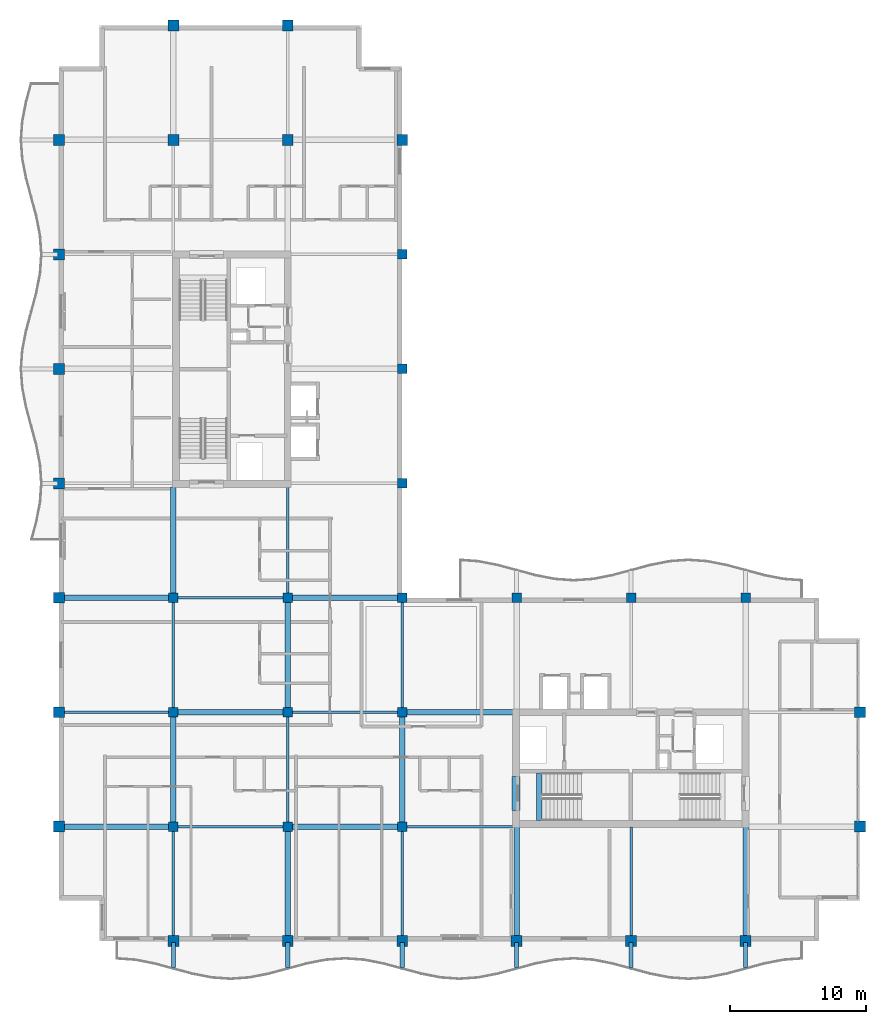
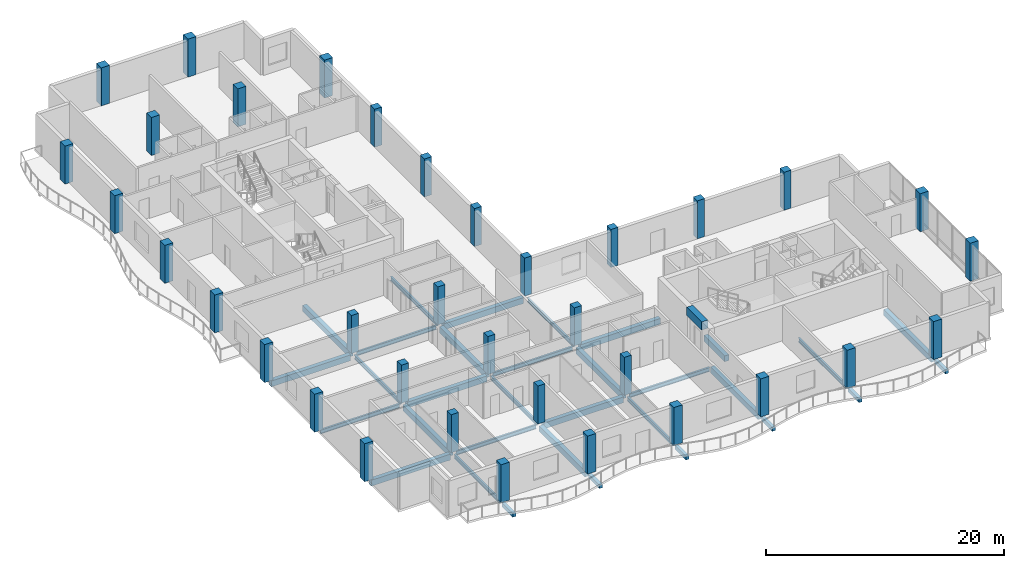
# One storey, part 1 of 15: 35 columns, 33 beams.
"""IFC4 building model written with IfcOpenShell, lengths in metres."""

from ifc_helpers import new_model, si_unit, direction, frame, origin, origin_2d, place, context, subcontext, project, spatial, rectangle, i_section, extrude, material, material_profile, profile_set, type_object, element, save


model = new_model("IFC4")

# Units and contexts
model_context = context("Model", 3, precision=1e-05, world=origin(), true_north=direction((0.0, 1.0)))
body_context = subcontext(model_context, "Body", "Model", "MODEL_VIEW")
ifc_project = project(units=[si_unit("LENGTHUNIT", "METRE"), si_unit("AREAUNIT", "SQUARE_METRE"), si_unit("VOLUMEUNIT", "CUBIC_METRE"), si_unit("PLANEANGLEUNIT", "RADIAN"), si_unit("MASSUNIT", "GRAM", prefix="KILO")], contexts=[model_context])

# Site, building, storey
site_placement = place(None, origin())
site = spatial("IfcSite", under=ifc_project, at=site_placement, CompositionType="ELEMENT")
building_placement = place(site_placement, origin())
building = spatial("IfcBuilding", under=site, at=building_placement, Name="Koriwani Terraces Tower", CompositionType="ELEMENT")
storey_placement = place(building_placement, frame((0.0, 0.0, 324.199951171875)))
storey = spatial("IfcBuildingStorey", under=building, at=storey_placement, Name="L80", CompositionType="ELEMENT", Elevation=324.199951171875)

# Columns
ifc_material_1 = material(Name="Concrete C50/60", Category="concrete")
ifc_material_profile_1 = material_profile(ifc_material_1, rectangle(XDim=0.699951171875, YDim=0.699951171875, at=origin_2d()), Name="Concrete C50/60", Category="LoadBearing")
ifc_profile_set_1 = profile_set([ifc_material_profile_1], Name="Concrete C50/60")
column_type_1 = type_object("IfcColumnType", Name="COL_RC_700X700", PredefinedType="COLUMN", material=ifc_profile_set_1)
for number, where, z_axis, x_axis, name in (
    (1, (16.800048828125, 16.800048828125, 0.0), (0.0, 0.0, 1.0), (1.0, 0.0, 0.0), "L80 Column 3/C"),
    (2, (16.800048828125, 25.199951171875, 0.0), (0.0, 0.0, 1.0), (1.0, 0.0, 0.0), "L80 Column 3/D"),
    (3, (16.800048828125, 33.60009765625, 0.0), (0.0, 0.0, 1.0), (1.0, 0.0, 0.0), "L80 Column 3/E"),
    (4, (25.199951171875, 16.800048828125, 0.0), (0.0, 0.0, 1.0), (1.0, 0.0, 0.0), "L80 Column 4/C"),
    (5, (25.199951171875, 25.199951171875, 0.0), (0.0, 0.0, 1.0), (1.0, 0.0, 0.0), "L80 Column 4/D"),
    (6, (25.199951171875, 33.60009765625, 0.0), (0.0, 0.0, 1.0), (1.0, 0.0, 0.0), "L80 Column 4/E"),
    (7, (33.60009765625, 16.800048828125, 0.0), (0.0, 0.0, 1.0), (1.0, 0.0, 0.0), "L80 Column 5/C"),
    (8, (33.60009765625, 25.199951171875, 0.0), (0.0, 0.0, 1.0), (1.0, 0.0, 0.0), "L80 Column 5/D"),
    (9, (33.60009765625, 33.60009765625, 0.0), (0.0, 0.0, 1.0), (1.0, 0.0, 0.0), "L80 Column 5/E"),
    (10, (33.60009765625, 42.0, 0.0), (0.0, 0.0, 1.0), (1.0, 0.0, 0.0), "L80 Column 5/F"),
    (11, (33.60009765625, 50.39990234375, 0.0), (0.0, 0.0, 1.0), (1.0, 0.0, 0.0), "L80 Column 5/G"),
    (12, (33.60009765625, 58.800048828125, 0.0), (0.0, 0.0, 1.0), (1.0, 0.0, 0.0), "L80 Column 5/H"),
    (13, (42.0, 33.60009765625, 0.0), (0.0, 0.0, 1.0), (1.0, 0.0, 0.0), "L80 Column 6/E"),
    (14, (50.39990234375, 33.60009765625, 0.0), (0.0, 0.0, 1.0), (1.0, 0.0, 0.0), "L80 Column 7/E"),
    (15, (58.800048828125, 33.60009765625, 0.0), (0.0, 0.0, 1.0), (1.0, 0.0, 0.0), "L80 Column 8/E"),
):
    element("IfcColumn", number, at=place(storey_placement, frame(where, z_axis=z_axis, x_axis=x_axis)), inside=storey, type_object=column_type_1, Name=name, PredefinedType="COLUMN", context=body_context, shape_type="SweptSolid", body=[
        extrude(rectangle(XDim=0.699951171875, YDim=0.699951171875, at=origin_2d()), origin(), (0.0, 0.0, 1.0), 3.900146484375),
    ])
ifc_material_profile_2 = material_profile(ifc_material_1, rectangle(XDim=0.800048828125, YDim=0.800048828125, at=origin_2d()), Name="Concrete C50/60", Category="LoadBearing")
ifc_profile_set_2 = profile_set([ifc_material_profile_2], Name="Concrete C50/60")
column_type_2 = type_object("IfcColumnType", Name="COL_RC_800X800", PredefinedType="COLUMN", material=ifc_profile_set_2)
for number, where, z_axis, x_axis, name in (
    (16, (8.39990234375, 16.800048828125, 0.0), (0.0, 0.0, 1.0), (1.0, 0.0, 0.0), "L80 Column 2/C"),
    (17, (8.39990234375, 25.199951171875, 0.0), (0.0, 0.0, 1.0), (1.0, 0.0, 0.0), "L80 Column 2/D"),
    (18, (8.39990234375, 33.60009765625, 0.0), (0.0, 0.0, 1.0), (1.0, 0.0, 0.0), "L80 Column 2/E"),
    (19, (8.39990234375, 42.0, 0.0), (0.0, 0.0, 1.0), (1.0, 0.0, 0.0), "L80 Column 2/F"),
    (20, (8.39990234375, 50.39990234375, 0.0), (0.0, 0.0, 1.0), (1.0, 0.0, 0.0), "L80 Column 2/G"),
    (21, (8.39990234375, 58.800048828125, 0.0), (0.0, 0.0, 1.0), (1.0, 0.0, 0.0), "L80 Column 2/H"),
    (22, (8.39990234375, 67.199951171875, 0.0), (0.0, 0.0, 1.0), (1.0, 0.0, 0.0), "L80 Column 2/I"),
    (23, (16.800048828125, 8.39990234375, 0.0), (0.0, 0.0, 1.0), (1.0, 0.0, 0.0), "L80 Column 3/B"),
    (24, (16.800048828125, 67.199951171875, 0.0), (0.0, 0.0, 1.0), (1.0, 0.0, 0.0), "L80 Column 3/I"),
    (25, (16.800048828125, 75.60009765625, 0.0), (0.0, 0.0, 1.0), (1.0, 0.0, 0.0), "L80 Column 3/J"),
    (26, (25.199951171875, 8.39990234375, 0.0), (0.0, 0.0, 1.0), (1.0, 0.0, 0.0), "L80 Column 4/B"),
    (27, (25.199951171875, 67.199951171875, 0.0), (0.0, 0.0, 1.0), (1.0, 0.0, 0.0), "L80 Column 4/I"),
    (28, (25.199951171875, 75.60009765625, 0.0), (0.0, 0.0, 1.0), (1.0, 0.0, 0.0), "L80 Column 4/J"),
    (29, (33.60009765625, 8.39990234375, 0.0), (0.0, 0.0, 1.0), (1.0, 0.0, 0.0), "L80 Column 5/B"),
    (30, (33.60009765625, 67.199951171875, 0.0), (0.0, 0.0, 1.0), (1.0, 0.0, 0.0), "L80 Column 5/I"),
    (31, (42.0, 8.39990234375, 0.0), (0.0, 0.0, 1.0), (1.0, 0.0, 0.0), "L80 Column 6/B"),
    (32, (50.39990234375, 8.39990234375, 0.0), (0.0, 0.0, 1.0), (1.0, 0.0, 0.0), "L80 Column 7/B"),
    (33, (58.800048828125, 8.39990234375, 0.0), (0.0, 0.0, 1.0), (1.0, 0.0, 0.0), "L80 Column 8/B"),
    (34, (67.199951171875, 16.800048828125, 0.0), (0.0, 0.0, 1.0), (1.0, 0.0, 0.0), "L80 Column 9/C"),
    (35, (67.199951171875, 25.199951171875, 0.0), (0.0, 0.0, 1.0), (1.0, 0.0, 0.0), "L80 Column 9/D"),
):
    element("IfcColumn", number, at=place(storey_placement, frame(where, z_axis=z_axis, x_axis=x_axis)), inside=storey, type_object=column_type_2, Name=name, PredefinedType="COLUMN", context=body_context, shape_type="SweptSolid", body=[
        extrude(rectangle(XDim=0.800048828125, YDim=0.800048828125, at=origin_2d()), origin(), (0.0, 0.0, 1.0), 3.900146484375),
    ])

# Beams
ifc_material_2 = material(Name="Concrete C40/50", Category="concrete")
ifc_material_profile_3 = material_profile(ifc_material_2, rectangle(XDim=0.300048828125, YDim=0.39990234375, at=origin_2d()), Name="Concrete C40/50", Category="LoadBearing")
ifc_profile_set_3 = profile_set([ifc_material_profile_3], Name="Concrete C40/50")
beam_type_1 = type_object("IfcBeamType", Name="BEAM_RC_BALCONY_RIB_300X400", PredefinedType="JOIST", material=ifc_profile_set_3)
for number, where, z_axis, x_axis, name in (
    (36, (16.800048828125, 6.449951171875, -0.429931640625), (0.0, 1.0, 0.0), (-1.0, 0.0, 0.0), "L80 Balcony Bracket Rib S-1"),
    (37, (25.199951171875, 6.449951171875, -0.429931640625), (0.0, 1.0, 0.0), (-1.0, 0.0, 0.0), "L80 Balcony Bracket Rib S-2"),
    (38, (33.60009765625, 6.449951171875, -0.429931640625), (0.0, 1.0, 0.0), (-1.0, 0.0, 0.0), "L80 Balcony Bracket Rib S-3"),
    (39, (42.0, 6.449951171875, -0.429931640625), (0.0, 1.0, 0.0), (-1.0, 0.0, 0.0), "L80 Balcony Bracket Rib S-4"),
    (40, (50.39990234375, 6.449951171875, -0.429931640625), (0.0, 1.0, 0.0), (-1.0, 0.0, 0.0), "L80 Balcony Bracket Rib S-5"),
    (41, (58.800048828125, 6.449951171875, -0.429931640625), (0.0, 1.0, 0.0), (-1.0, 0.0, 0.0), "L80 Balcony Bracket Rib S-6"),
):
    element("IfcBeam", number, at=place(storey_placement, frame(where, z_axis=z_axis, x_axis=x_axis)), inside=storey, type_object=beam_type_1, Name=name, PredefinedType="JOIST", context=body_context, shape_type="SweptSolid", body=[
        extrude(rectangle(XDim=0.300048828125, YDim=0.39990234375, at=origin_2d()), origin(), (0.0, 0.0, 1.0), 1.85009765625),
    ])
ifc_material_profile_4 = material_profile(ifc_material_1, rectangle(XDim=0.60009765625, YDim=0.85009765625, at=origin_2d()), Name="Concrete C50/60", Category="LoadBearing")
ifc_profile_set_4 = profile_set([ifc_material_profile_4], Name="Concrete C50/60")
beam_type_2 = type_object("IfcBeamType", Name="BEAM_RC_COUPLING_600X850", PredefinedType="LINTEL", material=ifc_profile_set_4)
beam_1_placement = place(storey_placement, frame((41.949951171875, 18.0, 3.2451171875), z_axis=(0.0, 1.0, 0.0), x_axis=(-1.0, 0.0, 0.0)))
element("IfcBeam", 42, at=beam_1_placement, inside=storey, type_object=beam_type_2, Name="L80 Core Coupling Lintel Beam EW", PredefinedType="LINTEL", context=body_context, shape_type="SweptSolid", body=[
    extrude(rectangle(XDim=0.60009765625, YDim=0.85009765625, at=origin_2d()), origin(), (0.0, 0.0, 1.0), 2.5),
])
ifc_material_profile_5 = material_profile(ifc_material_2, rectangle(XDim=0.39990234375, YDim=0.60009765625, at=origin_2d()), Name="Concrete C40/50", Category="LoadBearing")
ifc_profile_set_5 = profile_set([ifc_material_profile_5], Name="Concrete C40/50")
beam_type_3 = type_object("IfcBeamType", Name="BEAM_RC_GRID_400X600", PredefinedType="BEAM", material=ifc_profile_set_5)
beam_2_placement = place(storey_placement, frame((43.655029296875, 17.25, -0.300048828125), z_axis=(0.0, 1.0, 0.0), x_axis=(-1.0, 0.0, 0.0)))
element("IfcBeam", 43, at=beam_2_placement, inside=storey, type_object=beam_type_3, Name="L80 Stairwell Header Trimmer Beam ST-E1", PredefinedType="BEAM", context=body_context, shape_type="SweptSolid", body=[
    extrude(rectangle(XDim=0.39990234375, YDim=0.60009765625, at=origin_2d()), origin(), (0.0, 0.0, 1.0), 3.5),
])
beam_3_placement = place(storey_placement, frame((8.780029296875, 16.800048828125, -0.530029296875), z_axis=(1.0, 0.0, 0.0), x_axis=(0.0, 1.0, 0.0)))
element("IfcBeam", 44, at=beam_3_placement, inside=storey, type_object=beam_type_3, Name="L80 Grid Beam C (8.4-16.8m)", PredefinedType="BEAM", context=body_context, shape_type="SweptSolid", body=[
    extrude(rectangle(XDim=0.39990234375, YDim=0.60009765625, at=origin_2d()), origin(), (0.0, 0.0, 1.0), 7.68994140625),
])
beam_4_placement = place(storey_placement, frame((25.530029296875, 16.800048828125, -0.530029296875), z_axis=(1.0, 0.0, 0.0), x_axis=(0.0, 1.0, 0.0)))
element("IfcBeam", 45, at=beam_4_placement, inside=storey, type_object=beam_type_3, Name="L80 Grid Beam C (25.2-33.6m)", PredefinedType="BEAM", context=body_context, shape_type="SweptSolid", body=[
    extrude(rectangle(XDim=0.39990234375, YDim=0.60009765625, at=origin_2d()), origin(), (0.0, 0.0, 1.0), 7.739990234375),
])
beam_5_placement = place(storey_placement, frame((17.1298828125, 25.199951171875, -0.530029296875), z_axis=(1.0, 0.0, 0.0), x_axis=(0.0, 1.0, 0.0)))
element("IfcBeam", 46, at=beam_5_placement, inside=storey, type_object=beam_type_3, Name="L80 Grid Beam D (16.8-25.2m)", PredefinedType="BEAM", context=body_context, shape_type="SweptSolid", body=[
    extrude(rectangle(XDim=0.39990234375, YDim=0.60009765625, at=origin_2d()), origin(), (0.0, 0.0, 1.0), 7.740234375),
])
beam_6_placement = place(storey_placement, frame((33.929931640625, 25.199951171875, -0.530029296875), z_axis=(1.0, 0.0, 0.0), x_axis=(0.0, 1.0, 0.0)))
element("IfcBeam", 47, at=beam_6_placement, inside=storey, type_object=beam_type_3, Name="L80 Grid Beam D (33.6-42.0m)", PredefinedType="BEAM", context=body_context, shape_type="SweptSolid", body=[
    extrude(rectangle(XDim=0.39990234375, YDim=0.60009765625, at=origin_2d()), origin(), (0.0, 0.0, 1.0), 7.7900390625),
])
beam_7_placement = place(storey_placement, frame((8.780029296875, 33.60009765625, -0.530029296875), z_axis=(1.0, 0.0, 0.0), x_axis=(0.0, 1.0, 0.0)))
element("IfcBeam", 48, at=beam_7_placement, inside=storey, type_object=beam_type_3, Name="L80 Grid Beam E (8.4-16.8m)", PredefinedType="BEAM", context=body_context, shape_type="SweptSolid", body=[
    extrude(rectangle(XDim=0.39990234375, YDim=0.60009765625, at=origin_2d()), origin(), (0.0, 0.0, 1.0), 7.68994140625),
])
beam_8_placement = place(storey_placement, frame((25.530029296875, 33.60009765625, -0.530029296875), z_axis=(1.0, 0.0, 0.0), x_axis=(0.0, 1.0, 0.0)))
element("IfcBeam", 49, at=beam_8_placement, inside=storey, type_object=beam_type_3, Name="L80 Grid Beam E (25.2-33.6m)", PredefinedType="BEAM", context=body_context, shape_type="SweptSolid", body=[
    extrude(rectangle(XDim=0.39990234375, YDim=0.60009765625, at=origin_2d()), origin(), (0.0, 0.0, 1.0), 7.739990234375),
])
beam_9_placement = place(storey_placement, frame((16.800048828125, 17.1298828125, -0.530029296875), z_axis=(0.0, 1.0, 0.0), x_axis=(-1.0, 0.0, 0.0)))
element("IfcBeam", 50, at=beam_9_placement, inside=storey, type_object=beam_type_3, Name="L80 Grid Beam 3 (16.8-25.2m)", PredefinedType="BEAM", context=body_context, shape_type="SweptSolid", body=[
    extrude(rectangle(XDim=0.39990234375, YDim=0.60009765625, at=origin_2d()), origin(), (0.0, 0.0, 1.0), 7.740234375),
])
beam_10_placement = place(storey_placement, frame((16.800048828125, 33.929931640625, -0.530029296875), z_axis=(0.0, 1.0, 0.0), x_axis=(-1.0, 0.0, 0.0)))
element("IfcBeam", 51, at=beam_10_placement, inside=storey, type_object=beam_type_3, Name="L80 Grid Beam 3 (33.6-42.0m)", PredefinedType="BEAM", context=body_context, shape_type="SweptSolid", body=[
    extrude(rectangle(XDim=0.39990234375, YDim=0.60009765625, at=origin_2d()), origin(), (0.0, 0.0, 1.0), 7.7900390625),
])
beam_11_placement = place(storey_placement, frame((25.199951171875, 8.780029296875, -0.530029296875), z_axis=(0.0, 1.0, 0.0), x_axis=(-1.0, 0.0, 0.0)))
element("IfcBeam", 52, at=beam_11_placement, inside=storey, type_object=beam_type_3, Name="L80 Grid Beam 4 (8.4-16.8m)", PredefinedType="BEAM", context=body_context, shape_type="SweptSolid", body=[
    extrude(rectangle(XDim=0.39990234375, YDim=0.60009765625, at=origin_2d()), origin(), (0.0, 0.0, 1.0), 7.68994140625),
])
beam_12_placement = place(storey_placement, frame((25.199951171875, 25.530029296875, -0.530029296875), z_axis=(0.0, 1.0, 0.0), x_axis=(-1.0, 0.0, 0.0)))
element("IfcBeam", 53, at=beam_12_placement, inside=storey, type_object=beam_type_3, Name="L80 Grid Beam 4 (25.2-33.6m)", PredefinedType="BEAM", context=body_context, shape_type="SweptSolid", body=[
    extrude(rectangle(XDim=0.39990234375, YDim=0.60009765625, at=origin_2d()), origin(), (0.0, 0.0, 1.0), 7.739990234375),
])
beam_13_placement = place(storey_placement, frame((33.60009765625, 17.1298828125, -0.530029296875), z_axis=(0.0, 1.0, 0.0), x_axis=(-1.0, 0.0, 0.0)))
element("IfcBeam", 54, at=beam_13_placement, inside=storey, type_object=beam_type_3, Name="L80 Grid Beam 5 (16.8-25.2m)", PredefinedType="BEAM", context=body_context, shape_type="SweptSolid", body=[
    extrude(rectangle(XDim=0.39990234375, YDim=0.60009765625, at=origin_2d()), origin(), (0.0, 0.0, 1.0), 7.740234375),
])
for number, where, z_axis, x_axis, name in (
    (55, (42.0, 8.780029296875, -0.530029296875), (0.0, 1.0, 0.0), (-1.0, 0.0, 0.0), "L80 Grid Beam 6 (8.4-16.8m)"),
    (56, (58.800048828125, 8.780029296875, -0.530029296875), (0.0, 1.0, 0.0), (-1.0, 0.0, 0.0), "L80 Grid Beam 8 (8.4-16.8m)"),
):
    element("IfcBeam", number, at=place(storey_placement, frame(where, z_axis=z_axis, x_axis=x_axis)), inside=storey, type_object=beam_type_3, Name=name, PredefinedType="BEAM", context=body_context, shape_type="SweptSolid", body=[
        extrude(rectangle(XDim=0.39990234375, YDim=0.60009765625, at=origin_2d()), origin(), (0.0, 0.0, 1.0), 7.989990234375),
    ])
ifc_material_3 = material(Name="Steel ASTM A572 Grade 50", Category="steel")
ifc_material_profile_6 = material_profile(ifc_material_3, i_section(OverallWidth=0.180908203125, OverallDepth=0.4169921875, WebThickness=0.010986328125, FlangeThickness=0.018310546875, at=origin_2d()), Name="Steel ASTM A572 Grade 50", Category="LoadBearing")
ifc_profile_set_6 = profile_set([ifc_material_profile_6], Name="Steel ASTM A572 Grade 50")
beam_type_4 = type_object("IfcBeamType", Name="STEEL_BEAM_W410X85", PredefinedType="JOIST", material=ifc_profile_set_6)
beam_14_placement = place(storey_placement, frame((17.1298828125, 16.800048828125, -0.4384765625), z_axis=(1.0, 0.0, 0.0), x_axis=(0.0, 1.0, 0.0)))
element("IfcBeam", 57, at=beam_14_placement, inside=storey, type_object=beam_type_4, Name="L80 Grid Beam C (16.8-25.2m)", PredefinedType="JOIST", context=body_context, shape_type="SweptSolid", body=[
    extrude(i_section(OverallWidth=0.180908203125, OverallDepth=0.4169921875, WebThickness=0.010986328125, FlangeThickness=0.018310546875, at=origin_2d()), origin(), (0.0, 0.0, 1.0), 7.740234375),
])
beam_15_placement = place(storey_placement, frame((33.929931640625, 16.800048828125, -0.4384765625), z_axis=(1.0, 0.0, 0.0), x_axis=(0.0, 1.0, 0.0)))
element("IfcBeam", 58, at=beam_15_placement, inside=storey, type_object=beam_type_4, Name="L80 Grid Beam C (33.6-42.0m)", PredefinedType="JOIST", context=body_context, shape_type="SweptSolid", body=[
    extrude(i_section(OverallWidth=0.180908203125, OverallDepth=0.4169921875, WebThickness=0.010986328125, FlangeThickness=0.018310546875, at=origin_2d()), origin(), (0.0, 0.0, 1.0), 7.7900390625),
])
beam_16_placement = place(storey_placement, frame((8.780029296875, 25.199951171875, -0.4384765625), z_axis=(1.0, 0.0, 0.0), x_axis=(0.0, 1.0, 0.0)))
element("IfcBeam", 59, at=beam_16_placement, inside=storey, type_object=beam_type_4, Name="L80 Grid Beam D (8.4-16.8m)", PredefinedType="JOIST", context=body_context, shape_type="SweptSolid", body=[
    extrude(i_section(OverallWidth=0.180908203125, OverallDepth=0.4169921875, WebThickness=0.010986328125, FlangeThickness=0.018310546875, at=origin_2d()), origin(), (0.0, 0.0, 1.0), 7.68994140625),
])
beam_17_placement = place(storey_placement, frame((25.530029296875, 25.199951171875, -0.4384765625), z_axis=(1.0, 0.0, 0.0), x_axis=(0.0, 1.0, 0.0)))
element("IfcBeam", 60, at=beam_17_placement, inside=storey, type_object=beam_type_4, Name="L80 Grid Beam D (25.2-33.6m)", PredefinedType="JOIST", context=body_context, shape_type="SweptSolid", body=[
    extrude(i_section(OverallWidth=0.180908203125, OverallDepth=0.4169921875, WebThickness=0.010986328125, FlangeThickness=0.018310546875, at=origin_2d()), origin(), (0.0, 0.0, 1.0), 7.739990234375),
])
beam_18_placement = place(storey_placement, frame((17.1298828125, 33.60009765625, -0.4384765625), z_axis=(1.0, 0.0, 0.0), x_axis=(0.0, 1.0, 0.0)))
element("IfcBeam", 61, at=beam_18_placement, inside=storey, type_object=beam_type_4, Name="L80 Grid Beam E (16.8-25.2m)", PredefinedType="JOIST", context=body_context, shape_type="SweptSolid", body=[
    extrude(i_section(OverallWidth=0.180908203125, OverallDepth=0.4169921875, WebThickness=0.010986328125, FlangeThickness=0.018310546875, at=origin_2d()), origin(), (0.0, 0.0, 1.0), 7.740234375),
])
beam_19_placement = place(storey_placement, frame((16.800048828125, 8.780029296875, -0.4384765625), z_axis=(0.0, 1.0, 0.0), x_axis=(-1.0, 0.0, 0.0)))
element("IfcBeam", 62, at=beam_19_placement, inside=storey, type_object=beam_type_4, Name="L80 Grid Beam 3 (8.4-16.8m)", PredefinedType="JOIST", context=body_context, shape_type="SweptSolid", body=[
    extrude(i_section(OverallWidth=0.180908203125, OverallDepth=0.4169921875, WebThickness=0.010986328125, FlangeThickness=0.018310546875, at=origin_2d()), origin(), (0.0, 0.0, 1.0), 7.68994140625),
])
beam_20_placement = place(storey_placement, frame((16.800048828125, 25.530029296875, -0.4384765625), z_axis=(0.0, 1.0, 0.0), x_axis=(-1.0, 0.0, 0.0)))
element("IfcBeam", 63, at=beam_20_placement, inside=storey, type_object=beam_type_4, Name="L80 Grid Beam 3 (25.2-33.6m)", PredefinedType="JOIST", context=body_context, shape_type="SweptSolid", body=[
    extrude(i_section(OverallWidth=0.180908203125, OverallDepth=0.4169921875, WebThickness=0.010986328125, FlangeThickness=0.018310546875, at=origin_2d()), origin(), (0.0, 0.0, 1.0), 7.739990234375),
])
beam_21_placement = place(storey_placement, frame((25.199951171875, 17.1298828125, -0.4384765625), z_axis=(0.0, 1.0, 0.0), x_axis=(-1.0, 0.0, 0.0)))
element("IfcBeam", 64, at=beam_21_placement, inside=storey, type_object=beam_type_4, Name="L80 Grid Beam 4 (16.8-25.2m)", PredefinedType="JOIST", context=body_context, shape_type="SweptSolid", body=[
    extrude(i_section(OverallWidth=0.180908203125, OverallDepth=0.4169921875, WebThickness=0.010986328125, FlangeThickness=0.018310546875, at=origin_2d()), origin(), (0.0, 0.0, 1.0), 7.740234375),
])
beam_22_placement = place(storey_placement, frame((25.199951171875, 33.929931640625, -0.4384765625), z_axis=(0.0, 1.0, 0.0), x_axis=(-1.0, 0.0, 0.0)))
element("IfcBeam", 65, at=beam_22_placement, inside=storey, type_object=beam_type_4, Name="L80 Grid Beam 4 (33.6-42.0m)", PredefinedType="JOIST", context=body_context, shape_type="SweptSolid", body=[
    extrude(i_section(OverallWidth=0.180908203125, OverallDepth=0.4169921875, WebThickness=0.010986328125, FlangeThickness=0.018310546875, at=origin_2d()), origin(), (0.0, 0.0, 1.0), 7.7900390625),
])
beam_23_placement = place(storey_placement, frame((33.60009765625, 8.780029296875, -0.4384765625), z_axis=(0.0, 1.0, 0.0), x_axis=(-1.0, 0.0, 0.0)))
element("IfcBeam", 66, at=beam_23_placement, inside=storey, type_object=beam_type_4, Name="L80 Grid Beam 5 (8.4-16.8m)", PredefinedType="JOIST", context=body_context, shape_type="SweptSolid", body=[
    extrude(i_section(OverallWidth=0.180908203125, OverallDepth=0.4169921875, WebThickness=0.010986328125, FlangeThickness=0.018310546875, at=origin_2d()), origin(), (0.0, 0.0, 1.0), 7.68994140625),
])
beam_24_placement = place(storey_placement, frame((33.60009765625, 25.530029296875, -0.4384765625), z_axis=(0.0, 1.0, 0.0), x_axis=(-1.0, 0.0, 0.0)))
element("IfcBeam", 67, at=beam_24_placement, inside=storey, type_object=beam_type_4, Name="L80 Grid Beam 5 (25.2-33.6m)", PredefinedType="JOIST", context=body_context, shape_type="SweptSolid", body=[
    extrude(i_section(OverallWidth=0.180908203125, OverallDepth=0.4169921875, WebThickness=0.010986328125, FlangeThickness=0.018310546875, at=origin_2d()), origin(), (0.0, 0.0, 1.0), 7.739990234375),
])
beam_25_placement = place(storey_placement, frame((50.39990234375, 8.780029296875, -0.4384765625), z_axis=(0.0, 1.0, 0.0), x_axis=(-1.0, 0.0, 0.0)))
element("IfcBeam", 68, at=beam_25_placement, inside=storey, type_object=beam_type_4, Name="L80 Grid Beam 7 (8.4-16.8m)", PredefinedType="JOIST", context=body_context, shape_type="SweptSolid", body=[
    extrude(i_section(OverallWidth=0.180908203125, OverallDepth=0.4169921875, WebThickness=0.010986328125, FlangeThickness=0.018310546875, at=origin_2d()), origin(), (0.0, 0.0, 1.0), 7.989990234375),
])

save(model, "model.ifc")
